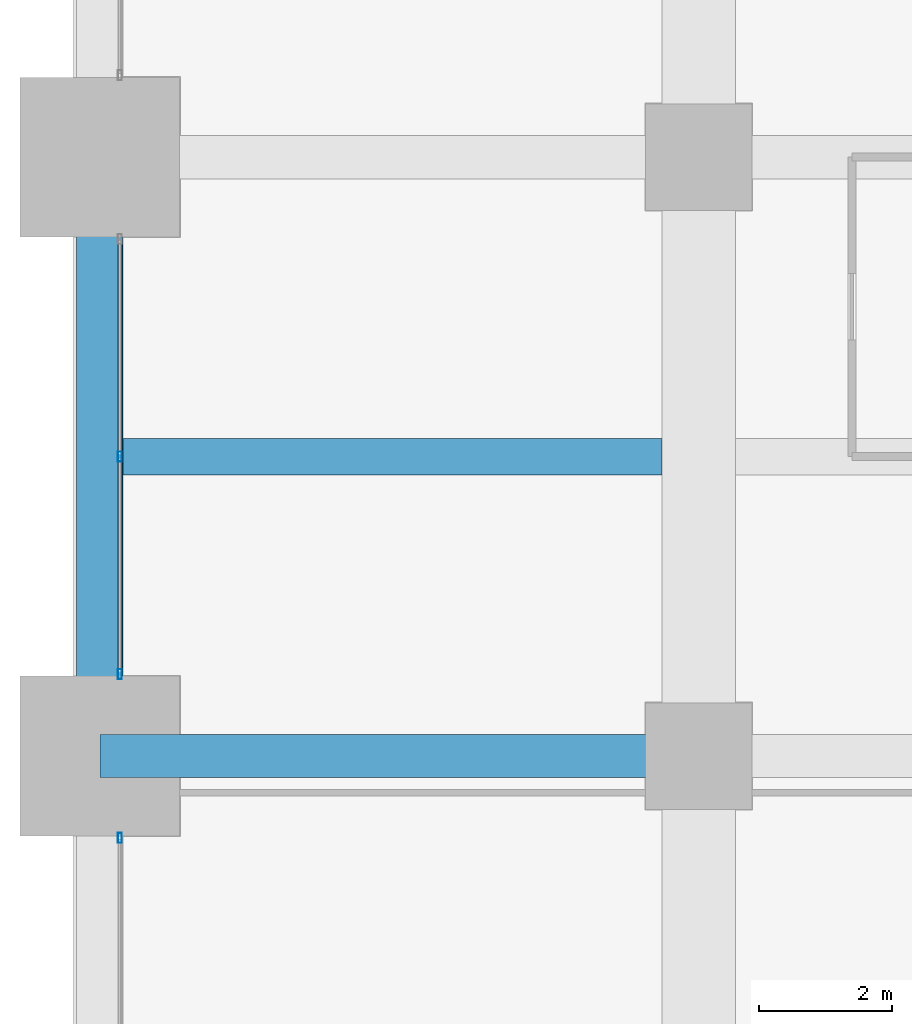
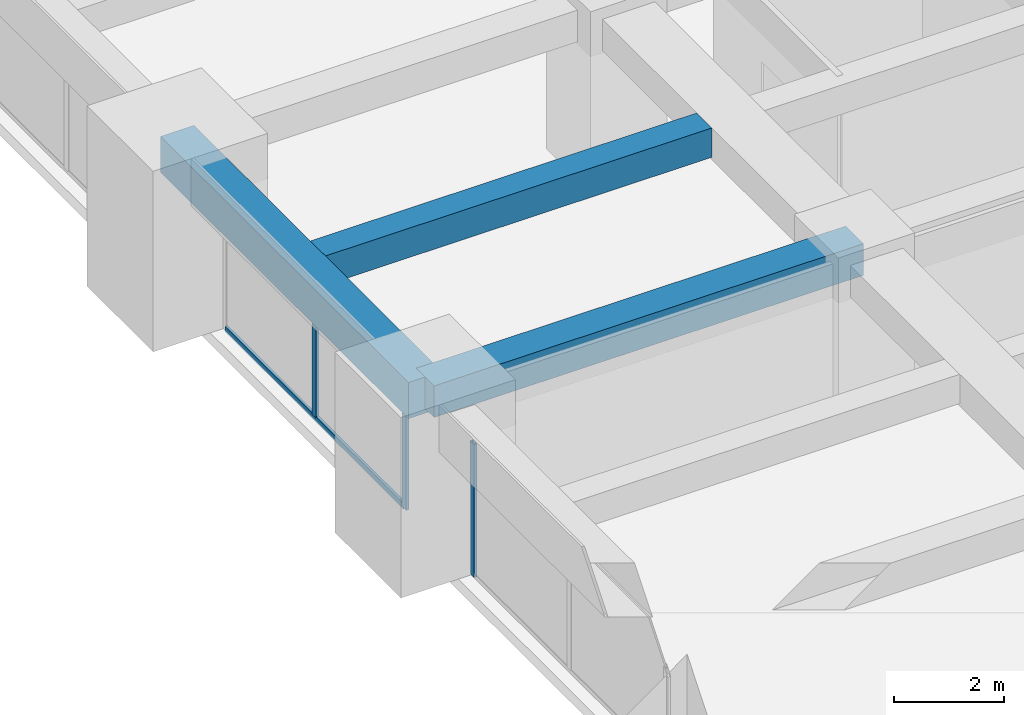
# One storey, part 9 of 32: 4 members, 3 beams, 2 elements without a shape of their own.
"""IFC4 building model written with IfcOpenShell, lengths in metres."""

import ifcopenshell
import ifcopenshell.guid

model = None  # the IFC model being written
_history = None  # IfcOwnerHistory: only IFC2X3 demands one
_inside = {}  # id of a spatial element -> (the spatial element, [elements in it])
_under = {}  # id of a project, library or spatial element -> (it, [spatial elements below it])
_declared = {}  # id of a project -> (the project, [libraries it declares])
_typed = {}  # id of a type object -> (the type object, [elements of that type])
_made_of = {}  # id of a material, layer set ... -> (it, [elements and type objects made of it])


def new_model(schema):
    """Start an empty IFC model of exactly this schema.

    Asked for "IFC4X3", IfcOpenShell would pick the latest addendum, in which some entities
    have other attributes; the version numbers below select the first issue.
    IFC2X3 requires an IfcOwnerHistory on every rooted entity: one is made here for all.
    """
    global model, _history
    if schema == "IFC4X3":
        model = ifcopenshell.file(schema_version=(4, 3, 0, 0))
    else:
        model = ifcopenshell.file(schema=schema)
    _inside.clear()
    _under.clear()
    _declared.clear()
    _typed.clear()
    _made_of.clear()
    _history = None
    if model.schema == "IFC2X3":
        org = make("IfcOrganization", Name="unknown")
        user = make(
            "IfcPersonAndOrganization",
            ThePerson=make("IfcPerson", FamilyName="unknown"),
            TheOrganization=org,
        )
        app = make(
            "IfcApplication",
            ApplicationDeveloper=org,
            Version="unknown",
            ApplicationFullName="unknown",
            ApplicationIdentifier="unknown",
        )
        _history = make(
            "IfcOwnerHistory",
            OwningUser=user,
            OwningApplication=app,
            ChangeAction="ADDED",
            CreationDate=0,
        )
    return model


def make(cls, **values):
    """One entity of the class cls with the attributes given. An attribute that is None is left unset."""
    return model.create_entity(
        cls, **{name: value for name, value in values.items() if value is not None}
    )


def rooted(cls, **values):
    """An entity with a GlobalId (a new one), such as an element, a storey or a relation."""
    return make(cls, GlobalId=ifcopenshell.guid.new(), OwnerHistory=_history, **values)


def si_unit(unit_type, name, prefix=None):
    """IfcSIUnit, for example si_unit("LENGTHUNIT", "METRE", prefix="MILLI")."""
    return make("IfcSIUnit", UnitType=unit_type, Prefix=prefix, Name=name)


def assignment(units):
    """IfcUnitAssignment: the units of a project."""
    return None if units is None else make("IfcUnitAssignment", Units=units)


def point(xyz):
    """IfcCartesianPoint."""
    return None if xyz is None else make("IfcCartesianPoint", Coordinates=xyz)


def direction(xyz):
    """IfcDirection."""
    return None if xyz is None else make("IfcDirection", DirectionRatios=xyz)


def frame(location, z_axis=None, x_axis=None):
    """IfcAxis2Placement3D, a coordinate frame: its origin and axes. An axis left out is left unset."""
    return make(
        "IfcAxis2Placement3D",
        Location=point(location),
        Axis=direction(z_axis),
        RefDirection=direction(x_axis),
    )


def frame_2d(location, x_axis=None):
    """IfcAxis2Placement2D, a coordinate frame in the plane: its origin and x axis."""
    return make(
        "IfcAxis2Placement2D", Location=point(location), RefDirection=direction(x_axis)
    )


def origin():
    """The frame at (0, 0, 0) with its axes left unset."""
    return frame((0.0, 0.0, 0.0))


def origin_2d():
    """The frame at (0, 0) in the plane with its x axis left unset."""
    return frame_2d((0.0, 0.0))


def place(relative_to, where):
    """IfcLocalPlacement: puts the frame where relative to a parent placement (None: the world)."""
    return make(
        "IfcLocalPlacement", PlacementRelTo=relative_to, RelativePlacement=where
    )


def context(
    kind, dimensions, precision=None, world=None, true_north=None, identifier=None
):
    """IfcGeometricRepresentationContext, for example the 3D "Model" context."""
    return make(
        "IfcGeometricRepresentationContext",
        ContextIdentifier=identifier,
        ContextType=kind,
        CoordinateSpaceDimension=dimensions,
        Precision=precision,
        WorldCoordinateSystem=world,
        TrueNorth=true_north,
    )


def subcontext(parent, identifier, kind, view, scale=None):
    """IfcGeometricRepresentationSubContext, for example "Body" below "Model"."""
    return make(
        "IfcGeometricRepresentationSubContext",
        ContextIdentifier=identifier,
        ContextType=kind,
        ParentContext=parent,
        TargetScale=scale,
        TargetView=view,
    )


def project(units=None, contexts=None):
    """IfcProject with its units and contexts."""
    return rooted(
        "IfcProject",
        Name="project",
        RepresentationContexts=contexts,
        UnitsInContext=assignment(units),
    )


def spatial(cls, under=None, at=None, **own):
    """A site, building, storey or space (cls), placed at a placement, below another one or the project."""
    s = rooted(cls, ObjectPlacement=at, **own)
    if under is not None:
        _under.setdefault(under.id(), (under, []))[1].append(s)
    return s


def profile(cls, at=None, kind="AREA", **sizes):
    """A parametric profile (cls). Its sizes go by their IFC names, for example OverallWidth=200.0."""
    return make(cls, ProfileType=kind, Position=at, **sizes)


def rectangle(**sizes):
    """IfcRectangleProfileDef."""
    return profile("IfcRectangleProfileDef", **sizes)


def hollow_rectangle(**sizes):
    """IfcRectangleHollowProfileDef."""
    return profile("IfcRectangleHollowProfileDef", **sizes)


def extrude(swept, where, along, depth):
    """IfcExtrudedAreaSolid: the profile swept, set in the frame where, extruded along a direction by depth."""
    return make(
        "IfcExtrudedAreaSolid",
        SweptArea=swept,
        Position=where,
        ExtrudedDirection=direction(along),
        Depth=depth,
    )


def shape(context_of_items, identifier, shape_type, items):
    """IfcShapeRepresentation: the items that make up one representation, for example the "Body"."""
    return make(
        "IfcShapeRepresentation",
        ContextOfItems=context_of_items,
        RepresentationIdentifier=identifier,
        RepresentationType=shape_type,
        Items=items,
    )


def material(Name=None, Category=None):
    """IfcMaterial."""
    return make("IfcMaterial", Name=Name, Category=Category)


def material_profile(
    of_material, cross_section, Name=None, Category=None, Priority=None
):
    """IfcMaterialProfile: a cross section and its material."""
    return make(
        "IfcMaterialProfile",
        Name=Name,
        Material=of_material,
        Profile=cross_section,
        Priority=Priority,
        Category=Category,
    )


def profile_set(profiles, Name=None, composite=None):
    """IfcMaterialProfileSet."""
    return make(
        "IfcMaterialProfileSet",
        Name=Name,
        MaterialProfiles=profiles,
        CompositeProfile=composite,
    )


def made_of(thing, what):
    """Note that an element or type object is made of a material, layer set ...; save() writes the relation."""
    if what is not None:
        _made_of.setdefault(what.id(), (what, []))[1].append(thing)
    return thing


def type_object(cls, material=None, **own):
    """A type object (cls), such as IfcWallType, which elements share."""
    return made_of(rooted(cls, **own), material)


def element(
    cls,
    number,
    at=None,
    inside=None,
    cuts=None,
    type_object=None,
    material=None,
    context=None,
    identifier="Body",
    shape_type=None,
    held_by="IfcProductDefinitionShape",
    body=None,
    shapes=None,
    **own,
):
    """One element of the class cls, such as IfcWall. Its Tag is "e" and its number.

    at: its placement. inside: the storey or other place that contains it. cuts: it is an
    opening in that element (IfcRelVoidsElement). A single representation is given by context,
    identifier, shape_type and body (its items); several are given by shapes. held_by: the class
    of the entity that holds the representations. save() writes the other relations.
    """
    e = rooted(cls, Tag="e%d" % number, ObjectPlacement=at, **own)
    if body is not None:
        shapes = [shape(context, identifier, shape_type, body)]
    if shapes is not None:
        e.Representation = make(held_by, Representations=shapes)
    if inside is not None:
        _inside.setdefault(inside.id(), (inside, []))[1].append(e)
    if cuts is not None:
        rooted(
            "IfcRelVoidsElement", RelatingBuildingElement=cuts, RelatedOpeningElement=e
        )
    if type_object is not None:
        _typed.setdefault(type_object.id(), (type_object, []))[1].append(e)
    return made_of(e, material)


def aggregate(whole, parts):
    """IfcRelAggregates: a whole, such as a stair, and the parts it consists of."""
    return rooted("IfcRelAggregates", RelatingObject=whole, RelatedObjects=parts)


def save(model, path):
    """Write the relations noted so far, then the file.

    IfcRelAggregates (storeys below a building ...), IfcRelContainedInSpatialStructure (elements
    in a storey), IfcRelDefinesByType, IfcRelAssociatesMaterial and IfcRelDeclares: one each for
    every whole, place, type object, material and project.
    """
    for whole, parts in _under.values():
        aggregate(whole, parts)
    for where, things in _inside.values():
        rooted(
            "IfcRelContainedInSpatialStructure",
            RelatedElements=things,
            RelatingStructure=where,
        )
    for kind, things in _typed.values():
        rooted("IfcRelDefinesByType", RelatedObjects=things, RelatingType=kind)
    for what, things in _made_of.values():
        rooted("IfcRelAssociatesMaterial", RelatedObjects=things, RelatingMaterial=what)
    for by, libraries in _declared.values():
        rooted("IfcRelDeclares", RelatingContext=by, RelatedDefinitions=libraries)
    model.write(path)


model = new_model("IFC4")

# Units and contexts
model_context = context("Model", 3, precision=1e-05, world=origin(), true_north=direction((0.0, 1.0)))
body_context = subcontext(model_context, "Body", "Model", "MODEL_VIEW")
ifc_project = project(units=[si_unit("LENGTHUNIT", "METRE"), si_unit("AREAUNIT", "SQUARE_METRE"), si_unit("VOLUMEUNIT", "CUBIC_METRE"), si_unit("PLANEANGLEUNIT", "RADIAN"), si_unit("MASSUNIT", "GRAM", prefix="KILO")], contexts=[model_context])

# Site, building, storey
site_placement = place(None, origin())
site = spatial("IfcSite", under=ifc_project, at=site_placement, CompositionType="ELEMENT")
building_placement = place(site_placement, origin())
building = spatial("IfcBuilding", under=site, at=building_placement, Name="Zorevar Civic Tower", CompositionType="ELEMENT")
storey_placement = place(building_placement, frame((0.0, 0.0, 182.199951171875)))
storey = spatial("IfcBuildingStorey", under=building, at=storey_placement, Name="L44", CompositionType="ELEMENT", Elevation=182.199951171875)

# Beams
ifc_material_1 = material(Name="Concrete C50/60", Category="concrete")
ifc_material_profile_1 = material_profile(ifc_material_1, rectangle(XDim=0.550048828125, YDim=0.64990234375, at=origin_2d()), Name="RC 550x650")
ifc_profile_set_1 = profile_set([ifc_material_profile_1], Name="Concrete C50/60")
beam_type_1 = type_object("IfcBeamType", Name="Beam RC 550x650", PredefinedType="BEAM", material=ifc_profile_set_1)
beam_1_placement = place(storey_placement, frame((0.35009765625, 22.5, 3.425048828125), z_axis=(1.0, 0.0, 0.0), x_axis=(0.0, 1.0, 0.0)))
element("IfcBeam", 1, at=beam_1_placement, inside=storey, type_object=beam_type_1, Name="Secondary beam L45", PredefinedType="BEAM", context=body_context, shape_type="SweptSolid", body=[
    extrude(rectangle(XDim=0.550048828125, YDim=0.64990234375, at=origin_2d()), origin(), (0.0, 0.0, 1.0), 8.099853515625),
])
ifc_material_2 = material(Name="Concrete C50/60", Category="concrete")
ifc_material_profile_2 = material_profile(ifc_material_2, rectangle(XDim=0.64990234375, YDim=0.699951171875, at=origin_2d()), Name="RC 650x700")
ifc_profile_set_2 = profile_set([ifc_material_profile_2], Name="Concrete C50/60")
beam_type_2 = type_object("IfcBeamType", Name="Beam RC 650x700", PredefinedType="BEAM", material=ifc_profile_set_2)
beam_2_placement = place(storey_placement, frame((0.0, 18.0, 3.400146484375), z_axis=(1.0, 0.0, 0.0), x_axis=(0.0, 1.0, 0.0)))
element("IfcBeam", 2, at=beam_2_placement, inside=storey, type_object=beam_type_2, Name="Girder L45", PredefinedType="BEAM", context=body_context, shape_type="SweptSolid", body=[
    extrude(rectangle(XDim=0.64990234375, YDim=0.699951171875, at=origin_2d()), origin(), (0.0, 0.0, 1.0), 9.0),
])

# Curtain wall, member
ifc_material_3 = material(Name="Dark grey solar-control glass in black aluminium frame", Category="aluminium")
curtain_wall_type = type_object("IfcCurtainWallType", Name="Curtain wall CW4 high zone", PredefinedType="NOTDEFINED", material=ifc_material_3)
curtain_wall_1_placement = place(storey_placement, origin())
curtain_wall_1 = element("IfcCurtainWall", 3, at=curtain_wall_1_placement, inside=storey, type_object=curtain_wall_type, Name="CW4 L44", PredefinedType="NOTDEFINED")
ifc_material_4 = material(Name="Aluminium, black anodised", Category="aluminium")
ifc_material_profile_3 = material_profile(ifc_material_4, hollow_rectangle(XDim=0.06005859375, YDim=0.14990234375, WallThickness=0.00390625, at=origin_2d()), Name="AL 150x60x4")
ifc_profile_set_3 = profile_set([ifc_material_profile_3], Name="Aluminium, black anodised")
member_type_1 = type_object("IfcMemberType", Name="CW4 mullion AL 150x60x4", PredefinedType="MULLION", material=ifc_profile_set_3)
member_1_placement = place(storey_placement, frame((0.300048828125, 16.77001953125, 0.0), z_axis=(0.0, 0.0, 1.0), x_axis=(-1.0, 0.0, 0.0)))
member_1 = element("IfcMember", 4, at=member_1_placement, type_object=member_type_1, Name="CW4 mullion 3", PredefinedType="MULLION", context=body_context, shape_type="SweptSolid", body=[
    extrude(hollow_rectangle(XDim=0.06005859375, YDim=0.14990234375, WallThickness=0.00390625, at=origin_2d()), origin(), (0.0, 0.0, 1.0), 2.949951171875),
])
aggregate(curtain_wall_1, [member_1])

# Curtain wall, members
curtain_wall_2_placement = place(storey_placement, origin())
curtain_wall_2 = element("IfcCurtainWall", 5, at=curtain_wall_2_placement, inside=storey, type_object=curtain_wall_type, Name="CW4 L44", PredefinedType="NOTDEFINED")
member_2_placement = place(storey_placement, frame((0.300048828125, 19.22998046875, 0.0), z_axis=(0.0, 0.0, 1.0), x_axis=(-1.0, 0.0, 0.0)))
member_2 = element("IfcMember", 6, at=member_2_placement, type_object=member_type_1, Name="CW4 mullion 1", PredefinedType="MULLION", context=body_context, shape_type="SweptSolid", body=[
    extrude(hollow_rectangle(XDim=0.06005859375, YDim=0.14990234375, WallThickness=0.00390625, at=origin_2d()), origin(), (0.0, 0.0, 1.0), 2.949951171875),
])
member_3_placement = place(storey_placement, frame((0.300048828125, 22.5, 0.06005859375), z_axis=(0.0, 0.0, 1.0), x_axis=(-1.0, 0.0, 0.0)))
member_3 = element("IfcMember", 7, at=member_3_placement, type_object=member_type_1, Name="CW4 mullion 2", PredefinedType="MULLION", context=body_context, shape_type="SweptSolid", body=[
    extrude(hollow_rectangle(XDim=0.06005859375, YDim=0.14990234375, WallThickness=0.00390625, at=origin_2d()), origin(), (0.0, 0.0, 1.0), 2.889892578125),
])
ifc_material_5 = material(Name="Aluminium, black anodised", Category="aluminium")
ifc_material_profile_4 = material_profile(ifc_material_5, hollow_rectangle(XDim=0.06005859375, YDim=0.1201171875, WallThickness=0.0029296875, at=origin_2d()), Name="AL 120x60x3")
ifc_profile_set_4 = profile_set([ifc_material_profile_4], Name="Aluminium, black anodised")
member_type_2 = type_object("IfcMemberType", Name="CW4 transom AL 120x60x3", PredefinedType="USERDEFINED", material=ifc_profile_set_4)
member_4_placement = place(storey_placement, frame((0.300048828125, 19.260009765625, 0.030029296875), z_axis=(0.0, 1.0, 0.0), x_axis=(-1.0, 0.0, 0.0)))
member_4 = element("IfcMember", 8, at=member_4_placement, type_object=member_type_2, Name="CW4 sill transom", ObjectType="TRANSOM", PredefinedType="USERDEFINED", context=body_context, shape_type="SweptSolid", body=[
    extrude(hollow_rectangle(XDim=0.06005859375, YDim=0.1201171875, WallThickness=0.0029296875, at=origin_2d()), origin(), (0.0, 0.0, 1.0), 6.47998046875),
])
aggregate(curtain_wall_2, [member_2, member_3, member_4])

# Beam
ifc_material_6 = material(Name="Concrete C50/60", Category="concrete")
ifc_material_profile_5 = material_profile(ifc_material_6, rectangle(XDim=0.699951171875, YDim=0.800048828125, at=origin_2d()), Name="RC 700x800")
ifc_profile_set_5 = profile_set([ifc_material_profile_5], Name="Concrete C50/60")
beam_type_3 = type_object("IfcBeamType", Name="Edge beam RC 700x800", PredefinedType="SPANDREL", material=ifc_profile_set_5)
beam_3_placement = place(storey_placement, frame((0.0, 18.0, 3.35009765625), z_axis=(0.0, 1.0, 0.0), x_axis=(-1.0, 0.0, 0.0)))
element("IfcBeam", 9, at=beam_3_placement, inside=storey, type_object=beam_type_3, Name="Edge beam L45", PredefinedType="SPANDREL", context=body_context, shape_type="SweptSolid", body=[
    extrude(rectangle(XDim=0.699951171875, YDim=0.800048828125, at=origin_2d()), origin(), (0.0, 0.0, 1.0), 9.0),
])

save(model, "model.ifc")
